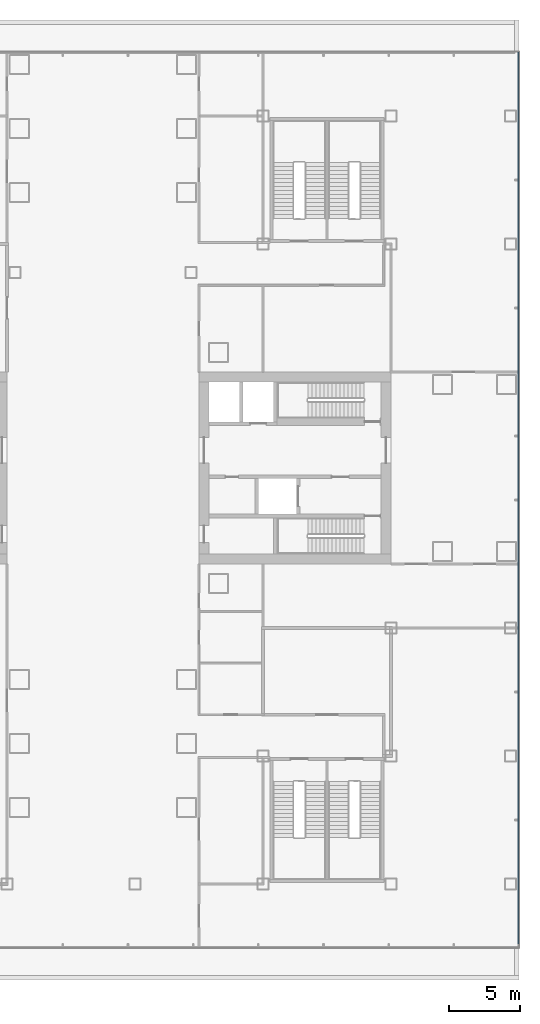
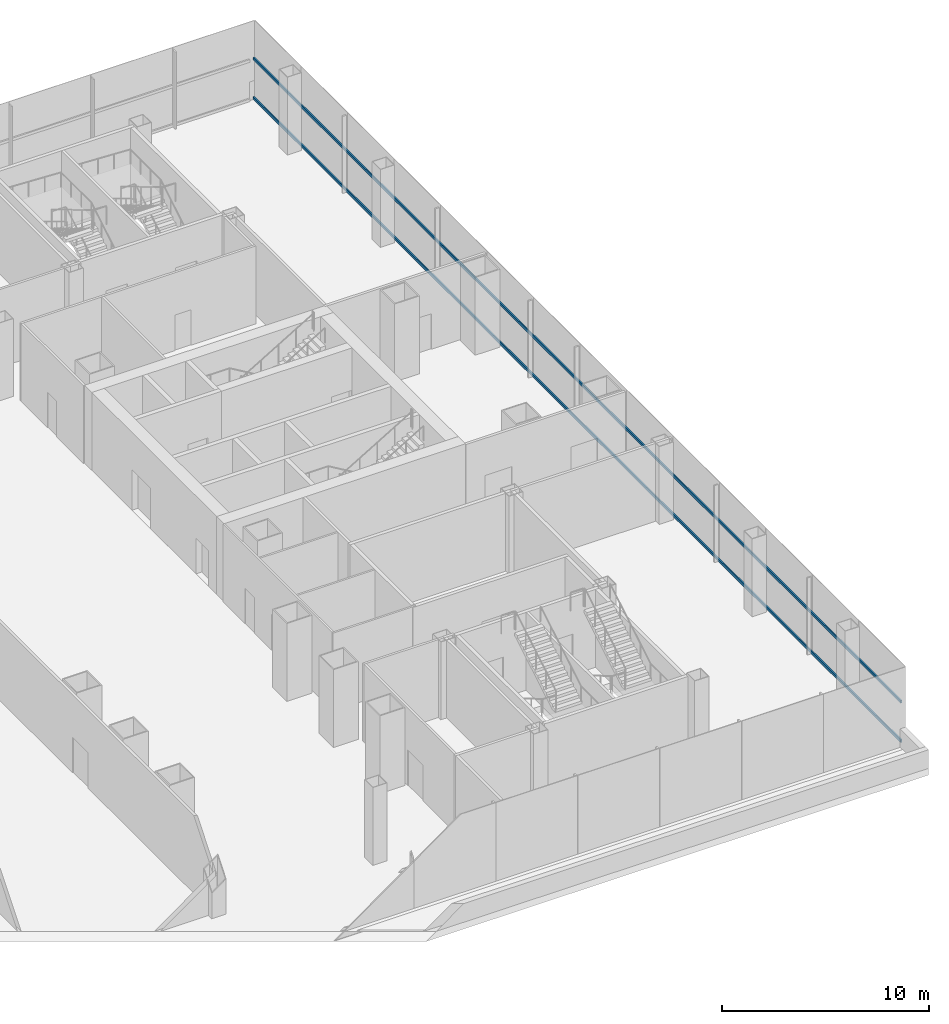
# One storey, part 16 of 33: 2 members, 1 element without a shape of its own.
"""IFC4 building model written with IfcOpenShell, lengths in metres."""

from ifc_helpers import new_model, si_unit, direction, frame, origin, origin_2d, place, context, subcontext, project, spatial, rectangle, extrude, material, layer, layer_set, material_profile, profile_set, type_object, element, aggregate, save


model = new_model("IFC4")

# Units and contexts
model_context = context("Model", 3, precision=1e-05, world=origin(), true_north=direction((0.0, 1.0)))
body_context = subcontext(model_context, "Body", "Model", "MODEL_VIEW")
ifc_project = project(units=[si_unit("LENGTHUNIT", "METRE"), si_unit("AREAUNIT", "SQUARE_METRE"), si_unit("VOLUMEUNIT", "CUBIC_METRE"), si_unit("PLANEANGLEUNIT", "RADIAN"), si_unit("MASSUNIT", "GRAM", prefix="KILO")], contexts=[model_context])

# Site, building, storey
site_placement = place(None, origin())
site = spatial("IfcSite", under=ifc_project, at=site_placement, CompositionType="ELEMENT")
building_placement = place(site_placement, origin())
building = spatial("IfcBuilding", under=site, at=building_placement, Name="Shamsa Quay Exchange Towers", CompositionType="ELEMENT")
storey_placement = place(building_placement, frame((0.0, 0.0, 18.5)))
storey = spatial("IfcBuildingStorey", under=building, at=storey_placement, Name="L03", CompositionType="ELEMENT", Elevation=18.5)

# Curtain wall, members
ifc_material = material(Name="Aluminium EN AW-6063 T6, black anodised", Category="aluminium")
ifc_layer = layer(ifc_material, 0.33203125)
ifc_layer_set = layer_set([ifc_layer], Name="CW-3 PODIUM SHOPFRONT GLAZING")
curtain_wall_type = type_object("IfcCurtainWallType", Name="CW-3 PODIUM SHOPFRONT GLAZING", PredefinedType="NOTDEFINED", material=ifc_layer_set)
curtain_wall_placement = place(storey_placement, origin())
curtain_wall = element("IfcCurtainWall", 1, at=curtain_wall_placement, inside=storey, type_object=curtain_wall_type, Name="CW3 PODIUM-L03-F00", PredefinedType="NOTDEFINED")
ifc_material_profile = material_profile(ifc_material, rectangle(XDim=0.080078125, YDim=0.159912109375, at=origin_2d()), Name="TR160x80")
ifc_profile_set = profile_set([ifc_material_profile], Name="Aluminium EN AW-6063 T6, black anodised")
member_type = type_object("IfcMemberType", Name="CW3 TRANSOM 160x80", PredefinedType="USERDEFINED", material=ifc_profile_set)
member_1_placement = place(storey_placement, frame((62.9599609375, -33.447998046875, 0.080078125), z_axis=(0.0, 1.0, 0.0), x_axis=(-1.0, 0.0, 0.0)))
member_1 = element("IfcMember", 2, at=member_1_placement, type_object=member_type, Name="CW3 transom", ObjectType="TRANSOM", PredefinedType="USERDEFINED", context=body_context, shape_type="SweptSolid", body=[
    extrude(rectangle(XDim=0.080078125, YDim=0.159912109375, at=origin_2d()), origin(), (0.0, 0.0, 1.0), 62.697998046875),
])
member_2_placement = place(storey_placement, frame((62.9599609375, -33.447998046875, 2.405029296875), z_axis=(0.0, 1.0, 0.0), x_axis=(-1.0, 0.0, 0.0)))
member_2 = element("IfcMember", 3, at=member_2_placement, type_object=member_type, Name="CW3 transom", ObjectType="TRANSOM", PredefinedType="USERDEFINED", context=body_context, shape_type="SweptSolid", body=[
    extrude(rectangle(XDim=0.080078125, YDim=0.159912109375, at=origin_2d()), origin(), (0.0, 0.0, 1.0), 62.697998046875),
])
aggregate(curtain_wall, [member_1, member_2])

save(model, "model.ifc")
